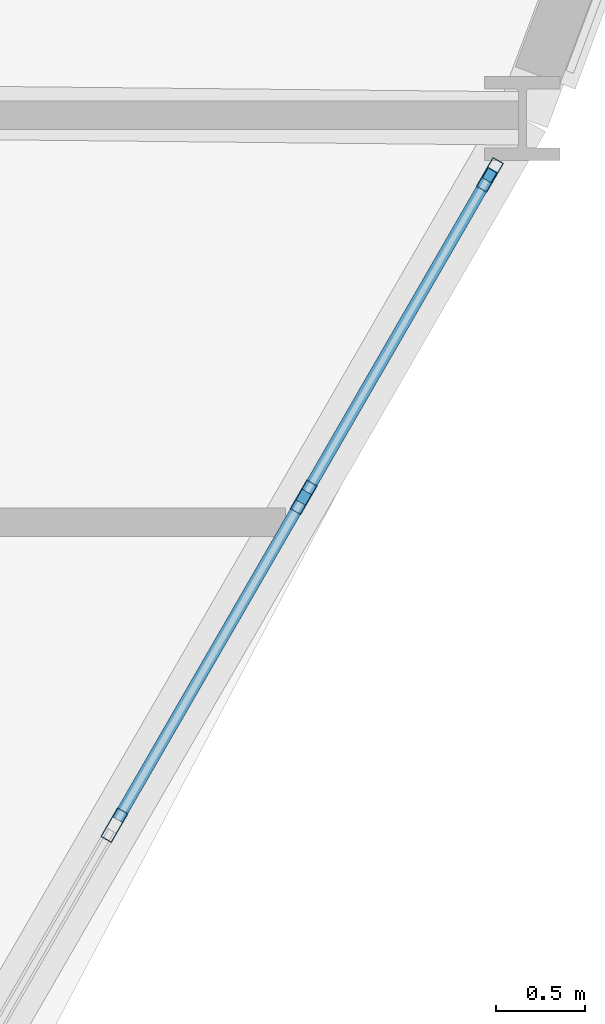
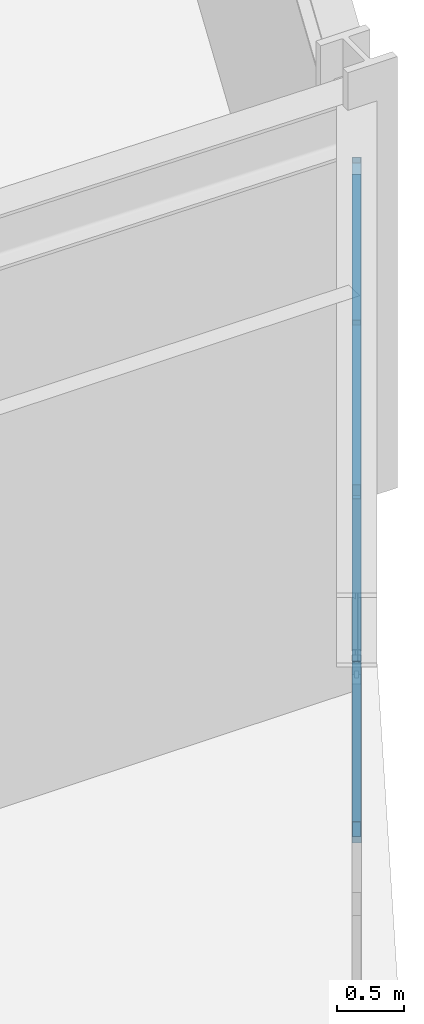
# One storey, part 10 of 22: 8 members, 1 element without a shape of its own.
"""IFC4 building model written with IfcOpenShell, lengths in metres."""

import ifcopenshell
import ifcopenshell.guid

model = None  # the IFC model being written
_history = None  # IfcOwnerHistory: only IFC2X3 demands one
_inside = {}  # id of a spatial element -> (the spatial element, [elements in it])
_under = {}  # id of a project, library or spatial element -> (it, [spatial elements below it])
_declared = {}  # id of a project -> (the project, [libraries it declares])
_typed = {}  # id of a type object -> (the type object, [elements of that type])
_made_of = {}  # id of a material, layer set ... -> (it, [elements and type objects made of it])


def new_model(schema):
    """Start an empty IFC model of exactly this schema.

    Asked for "IFC4X3", IfcOpenShell would pick the latest addendum, in which some entities
    have other attributes; the version numbers below select the first issue.
    IFC2X3 requires an IfcOwnerHistory on every rooted entity: one is made here for all.
    """
    global model, _history
    if schema == "IFC4X3":
        model = ifcopenshell.file(schema_version=(4, 3, 0, 0))
    else:
        model = ifcopenshell.file(schema=schema)
    _inside.clear()
    _under.clear()
    _declared.clear()
    _typed.clear()
    _made_of.clear()
    _history = None
    if model.schema == "IFC2X3":
        org = make("IfcOrganization", Name="unknown")
        user = make(
            "IfcPersonAndOrganization",
            ThePerson=make("IfcPerson", FamilyName="unknown"),
            TheOrganization=org,
        )
        app = make(
            "IfcApplication",
            ApplicationDeveloper=org,
            Version="unknown",
            ApplicationFullName="unknown",
            ApplicationIdentifier="unknown",
        )
        _history = make(
            "IfcOwnerHistory",
            OwningUser=user,
            OwningApplication=app,
            ChangeAction="ADDED",
            CreationDate=0,
        )
    return model


def make(cls, **values):
    """One entity of the class cls with the attributes given. An attribute that is None is left unset."""
    return model.create_entity(
        cls, **{name: value for name, value in values.items() if value is not None}
    )


def rooted(cls, **values):
    """An entity with a GlobalId (a new one), such as an element, a storey or a relation."""
    return make(cls, GlobalId=ifcopenshell.guid.new(), OwnerHistory=_history, **values)


def si_unit(unit_type, name, prefix=None):
    """IfcSIUnit, for example si_unit("LENGTHUNIT", "METRE", prefix="MILLI")."""
    return make("IfcSIUnit", UnitType=unit_type, Prefix=prefix, Name=name)


def derived_unit(unit_type, elements):
    """IfcDerivedUnit: a product of units, each with its exponent."""
    return make(
        "IfcDerivedUnit",
        Elements=[
            make("IfcDerivedUnitElement", Unit=unit, Exponent=power)
            for unit, power in elements
        ],
        UnitType=unit_type,
    )


def assignment(units):
    """IfcUnitAssignment: the units of a project."""
    return None if units is None else make("IfcUnitAssignment", Units=units)


def point(xyz):
    """IfcCartesianPoint."""
    return None if xyz is None else make("IfcCartesianPoint", Coordinates=xyz)


def direction(xyz):
    """IfcDirection."""
    return None if xyz is None else make("IfcDirection", DirectionRatios=xyz)


def frame(location, z_axis=None, x_axis=None):
    """IfcAxis2Placement3D, a coordinate frame: its origin and axes. An axis left out is left unset."""
    return make(
        "IfcAxis2Placement3D",
        Location=point(location),
        Axis=direction(z_axis),
        RefDirection=direction(x_axis),
    )


def frame_2d(location, x_axis=None):
    """IfcAxis2Placement2D, a coordinate frame in the plane: its origin and x axis."""
    return make(
        "IfcAxis2Placement2D", Location=point(location), RefDirection=direction(x_axis)
    )


def origin():
    """The frame at (0, 0, 0) with its axes left unset."""
    return frame((0.0, 0.0, 0.0))


def origin_2d():
    """The frame at (0, 0) in the plane with its x axis left unset."""
    return frame_2d((0.0, 0.0))


def place(relative_to, where):
    """IfcLocalPlacement: puts the frame where relative to a parent placement (None: the world)."""
    return make(
        "IfcLocalPlacement", PlacementRelTo=relative_to, RelativePlacement=where
    )


def context(
    kind, dimensions, precision=None, world=None, true_north=None, identifier=None
):
    """IfcGeometricRepresentationContext, for example the 3D "Model" context."""
    return make(
        "IfcGeometricRepresentationContext",
        ContextIdentifier=identifier,
        ContextType=kind,
        CoordinateSpaceDimension=dimensions,
        Precision=precision,
        WorldCoordinateSystem=world,
        TrueNorth=true_north,
    )


def subcontext(parent, identifier, kind, view, scale=None):
    """IfcGeometricRepresentationSubContext, for example "Body" below "Model"."""
    return make(
        "IfcGeometricRepresentationSubContext",
        ContextIdentifier=identifier,
        ContextType=kind,
        ParentContext=parent,
        TargetScale=scale,
        TargetView=view,
    )


def project(units=None, contexts=None):
    """IfcProject with its units and contexts."""
    return rooted(
        "IfcProject",
        Name="project",
        RepresentationContexts=contexts,
        UnitsInContext=assignment(units),
    )


def spatial(cls, under=None, at=None, **own):
    """A site, building, storey or space (cls), placed at a placement, below another one or the project."""
    s = rooted(cls, ObjectPlacement=at, **own)
    if under is not None:
        _under.setdefault(under.id(), (under, []))[1].append(s)
    return s


def profile(cls, at=None, kind="AREA", **sizes):
    """A parametric profile (cls). Its sizes go by their IFC names, for example OverallWidth=200.0."""
    return make(cls, ProfileType=kind, Position=at, **sizes)


def hollow_rectangle(**sizes):
    """IfcRectangleHollowProfileDef."""
    return profile("IfcRectangleHollowProfileDef", **sizes)


def extrude(swept, where, along, depth):
    """IfcExtrudedAreaSolid: the profile swept, set in the frame where, extruded along a direction by depth."""
    return make(
        "IfcExtrudedAreaSolid",
        SweptArea=swept,
        Position=where,
        ExtrudedDirection=direction(along),
        Depth=depth,
    )


def shape(context_of_items, identifier, shape_type, items):
    """IfcShapeRepresentation: the items that make up one representation, for example the "Body"."""
    return make(
        "IfcShapeRepresentation",
        ContextOfItems=context_of_items,
        RepresentationIdentifier=identifier,
        RepresentationType=shape_type,
        Items=items,
    )


def source(mapping_origin, context_of_items, identifier, shape_type, items):
    """IfcRepresentationMap: a shape defined once, which mapped items show again and again."""
    return make(
        "IfcRepresentationMap",
        MappingOrigin=mapping_origin,
        MappedRepresentation=shape(context_of_items, identifier, shape_type, items),
    )


def transform(
    local_origin,
    x_axis=None,
    y_axis=None,
    z_axis=None,
    scale=None,
    scale2=None,
    scale3=None,
    uniform=True,
):
    """IfcCartesianTransformationOperator3D, or its non-uniform kind. x_axis, y_axis, z_axis: its Axis1, 2, 3."""
    if uniform:
        return make(
            "IfcCartesianTransformationOperator3D",
            Axis1=direction(x_axis),
            Axis2=direction(y_axis),
            LocalOrigin=point(local_origin),
            Scale=scale,
            Axis3=direction(z_axis),
        )
    return make(
        "IfcCartesianTransformationOperator3DnonUniform",
        Axis1=direction(x_axis),
        Axis2=direction(y_axis),
        LocalOrigin=point(local_origin),
        Scale=scale,
        Axis3=direction(z_axis),
        Scale2=scale2,
        Scale3=scale3,
    )


def mapped(mapping_source, mapping_target):
    """IfcMappedItem: shows the shape of a source again, moved by a transform."""
    return make(
        "IfcMappedItem", MappingSource=mapping_source, MappingTarget=mapping_target
    )


def material(Name=None, Category=None):
    """IfcMaterial."""
    return make("IfcMaterial", Name=Name, Category=Category)


def layer(
    of_material, thickness, ventilated=None, Name=None, Category=None, Priority=None
):
    """IfcMaterialLayer: one layer of a wall or slab, of a material (None: an air gap)."""
    return make(
        "IfcMaterialLayer",
        Material=of_material,
        LayerThickness=thickness,
        IsVentilated=ventilated,
        Name=Name,
        Category=Category,
        Priority=Priority,
    )


def layer_set(layers, Name=None):
    """IfcMaterialLayerSet."""
    return make("IfcMaterialLayerSet", MaterialLayers=layers, LayerSetName=Name)


def material_profile(
    of_material, cross_section, Name=None, Category=None, Priority=None
):
    """IfcMaterialProfile: a cross section and its material."""
    return make(
        "IfcMaterialProfile",
        Name=Name,
        Material=of_material,
        Profile=cross_section,
        Priority=Priority,
        Category=Category,
    )


def profile_set(profiles, Name=None, composite=None):
    """IfcMaterialProfileSet."""
    return make(
        "IfcMaterialProfileSet",
        Name=Name,
        MaterialProfiles=profiles,
        CompositeProfile=composite,
    )


def made_of(thing, what):
    """Note that an element or type object is made of a material, layer set ...; save() writes the relation."""
    if what is not None:
        _made_of.setdefault(what.id(), (what, []))[1].append(thing)
    return thing


def type_object(cls, material=None, **own):
    """A type object (cls), such as IfcWallType, which elements share."""
    return made_of(rooted(cls, **own), material)


def element(
    cls,
    number,
    at=None,
    inside=None,
    cuts=None,
    type_object=None,
    material=None,
    context=None,
    identifier="Body",
    shape_type=None,
    held_by="IfcProductDefinitionShape",
    body=None,
    shapes=None,
    **own,
):
    """One element of the class cls, such as IfcWall. Its Tag is "e" and its number.

    at: its placement. inside: the storey or other place that contains it. cuts: it is an
    opening in that element (IfcRelVoidsElement). A single representation is given by context,
    identifier, shape_type and body (its items); several are given by shapes. held_by: the class
    of the entity that holds the representations. save() writes the other relations.
    """
    e = rooted(cls, Tag="e%d" % number, ObjectPlacement=at, **own)
    if body is not None:
        shapes = [shape(context, identifier, shape_type, body)]
    if shapes is not None:
        e.Representation = make(held_by, Representations=shapes)
    if inside is not None:
        _inside.setdefault(inside.id(), (inside, []))[1].append(e)
    if cuts is not None:
        rooted(
            "IfcRelVoidsElement", RelatingBuildingElement=cuts, RelatedOpeningElement=e
        )
    if type_object is not None:
        _typed.setdefault(type_object.id(), (type_object, []))[1].append(e)
    return made_of(e, material)


def aggregate(whole, parts):
    """IfcRelAggregates: a whole, such as a stair, and the parts it consists of."""
    return rooted("IfcRelAggregates", RelatingObject=whole, RelatedObjects=parts)


def save(model, path):
    """Write the relations noted so far, then the file.

    IfcRelAggregates (storeys below a building ...), IfcRelContainedInSpatialStructure (elements
    in a storey), IfcRelDefinesByType, IfcRelAssociatesMaterial and IfcRelDeclares: one each for
    every whole, place, type object, material and project.
    """
    for whole, parts in _under.values():
        aggregate(whole, parts)
    for where, things in _inside.values():
        rooted(
            "IfcRelContainedInSpatialStructure",
            RelatedElements=things,
            RelatingStructure=where,
        )
    for kind, things in _typed.values():
        rooted("IfcRelDefinesByType", RelatedObjects=things, RelatingType=kind)
    for what, things in _made_of.values():
        rooted("IfcRelAssociatesMaterial", RelatedObjects=things, RelatingMaterial=what)
    for by, libraries in _declared.values():
        rooted("IfcRelDeclares", RelatingContext=by, RelatedDefinitions=libraries)
    model.write(path)


model = new_model("IFC4")

# Units and contexts
model_context = context("Model", 3, precision=1e-05, world=origin(), true_north=direction((0.0, 1.0)))
body_context = subcontext(model_context, "Body", "Model", "MODEL_VIEW")
ifc_project = project(units=[si_unit("LENGTHUNIT", "METRE"), si_unit("AREAUNIT", "SQUARE_METRE"), si_unit("VOLUMEUNIT", "CUBIC_METRE"), si_unit("PLANEANGLEUNIT", "RADIAN"), si_unit("MASSUNIT", "GRAM", prefix="KILO"), derived_unit("THERMALTRANSMITTANCEUNIT", [(si_unit("POWERUNIT", "WATT"), 1), (si_unit("LENGTHUNIT", "METRE"), -2), (si_unit("THERMODYNAMICTEMPERATUREUNIT", "KELVIN"), -1)])], contexts=[model_context])

# Site, building, storey
site_placement = place(None, origin())
site = spatial("IfcSite", under=ifc_project, at=site_placement, CompositionType="ELEMENT")
building_placement = place(site_placement, origin())
building = spatial("IfcBuilding", under=site, at=building_placement, Name="Korsvarv Bourse and Concert Hall", CompositionType="ELEMENT")
storey_placement = place(building_placement, frame((0.0, 0.0, 55.199951171875)))
storey = spatial("IfcBuildingStorey", under=building, at=storey_placement, Name="L13", CompositionType="ELEMENT", Elevation=55.199951171875)

# Curtain wall, members
ifc_material_1 = material(Name="Anodised aluminium and triple low-E glazing", Category="glass")
ifc_layer = layer(ifc_material_1, 0.219970703125)
ifc_layer_set = layer_set([ifc_layer], Name="Anodised aluminium and triple low-E glazing")
curtain_wall_type = type_object("IfcCurtainWallType", Name="CW-SYS-1", PredefinedType="NOTDEFINED", material=ifc_layer_set)
curtain_wall_placement = place(storey_placement, origin())
curtain_wall = element("IfcCurtainWall", 1, at=curtain_wall_placement, inside=storey, type_object=curtain_wall_type, Name="L13 CW1 curtain wall CW-L13-F11", PredefinedType="NOTDEFINED")
ifc_material_2 = material(Name="Extruded aluminium EN AW-6063 T66", Category="aluminium")
ifc_material_profile_1 = material_profile(ifc_material_2, hollow_rectangle(XDim=0.06494140625, YDim=0.139892578125, WallThickness=0.00390625, at=origin_2d()), Name="ALU-T 65x140")
ifc_profile_set_1 = profile_set([ifc_material_profile_1], Name="Extruded aluminium EN AW-6063 T66")
member_type_1 = type_object("IfcMemberType", Name="CWT-140", PredefinedType="USERDEFINED", material=ifc_profile_set_1)
shared_shape_1 = source(origin(), body_context, "Body", "SweptSolid", [
    extrude(hollow_rectangle(XDim=0.06494140625, YDim=0.139892578125, WallThickness=0.00390625, at=origin_2d()), origin(), (0.0, 0.0, 1.0), 2.024658203125),
])
member_1_placement = place(storey_placement, frame((56.770263671875, 30.196044921875, 0.032470703125), z_axis=(0.499952099219, 0.866053057547, 0.0), x_axis=(-0.866053057547, 0.499952099219, 0.0)))
member_1 = element("IfcMember", 2, at=member_1_placement, type_object=member_type_1, Name="CW1 transom 7.1", ObjectType="TRANSOM", PredefinedType="USERDEFINED", context=body_context, shape_type="MappedRepresentation", body=[
    mapped(shared_shape_1, transform((0.0, 0.0, 0.0), scale=1.0)),
])
member_2_placement = place(storey_placement, frame((56.770263671875, 30.196044921875, 3.07763671875), z_axis=(0.499952099219, 0.866053057547, 0.0), x_axis=(-0.866053057547, 0.499952099219, 0.0)))
member_2 = element("IfcMember", 3, at=member_2_placement, type_object=member_type_1, Name="CW1 transom 7.2", ObjectType="TRANSOM", PredefinedType="USERDEFINED", context=body_context, shape_type="MappedRepresentation", body=[
    mapped(shared_shape_1, transform((0.0, 0.0, 0.0), scale=1.0)),
])
shared_shape_2 = source(origin(), body_context, "Body", "SweptSolid", [
    extrude(hollow_rectangle(XDim=0.06494140625, YDim=0.139892578125, WallThickness=0.00390625, at=origin_2d()), origin(), (0.0, 0.0, 1.0), 2.0595703125),
])
member_3_placement = place(storey_placement, frame((55.70556640625, 28.351806640625, 0.032470703125), z_axis=(0.499989236795, 0.866031617834, 0.0), x_axis=(-0.866031617834, 0.499989236795, 0.0)))
member_3 = element("IfcMember", 4, at=member_3_placement, type_object=member_type_1, Name="CW1 transom 6.1", ObjectType="TRANSOM", PredefinedType="USERDEFINED", context=body_context, shape_type="MappedRepresentation", body=[
    mapped(shared_shape_2, transform((0.0, 0.0, 0.0), scale=1.0)),
])
member_4_placement = place(storey_placement, frame((55.70556640625, 28.351806640625, 3.07763671875), z_axis=(0.499989236795, 0.866031617834, 0.0), x_axis=(-0.866031617834, 0.499989236795, 0.0)))
member_4 = element("IfcMember", 5, at=member_4_placement, type_object=member_type_1, Name="CW1 transom 6.2", ObjectType="TRANSOM", PredefinedType="USERDEFINED", context=body_context, shape_type="MappedRepresentation", body=[
    mapped(shared_shape_2, transform((0.0, 0.0, 0.0), scale=1.0)),
])
ifc_material_profile_2 = material_profile(ifc_material_2, hollow_rectangle(XDim=0.070068359375, YDim=0.18994140625, WallThickness=0.0048828125, at=origin_2d()), Name="ALU-M 70x190")
ifc_profile_set_2 = profile_set([ifc_material_profile_2], Name="Extruded aluminium EN AW-6063 T66")
member_type_2 = type_object("IfcMemberType", Name="CWM-190", PredefinedType="MULLION", material=ifc_profile_set_2)
shared_shape_3 = source(origin(), body_context, "Body", "SweptSolid", [
    extrude(hollow_rectangle(XDim=0.070068359375, YDim=0.18994140625, WallThickness=0.0048828125, at=origin_2d()), origin(), (0.0, 0.0, 1.0), 3.110107421875),
])
member_5_placement = place(storey_placement, frame((55.68798828125, 28.321533203125, 0.0), z_axis=(0.0, 0.0, 1.0), x_axis=(-0.866025499647, 0.499999833962, 0.0)))
member_5 = element("IfcMember", 6, at=member_5_placement, type_object=member_type_2, Name="CW1 mullion 6", PredefinedType="MULLION", context=body_context, shape_type="MappedRepresentation", body=[
    mapped(shared_shape_3, transform((0.0, 0.0, 0.0), scale=1.0)),
])
member_6_placement = place(storey_placement, frame((56.752685546875, 30.165771484375, 0.0), z_axis=(0.0, 0.0, 1.0), x_axis=(-0.866025499647, 0.499999833962, 0.0)))
member_6 = element("IfcMember", 7, at=member_6_placement, type_object=member_type_2, Name="CW1 mullion 7", PredefinedType="MULLION", context=body_context, shape_type="MappedRepresentation", body=[
    mapped(shared_shape_3, transform((0.0, 0.0, 0.0), scale=1.0)),
])
member_7_placement = place(storey_placement, frame((57.800048828125, 31.979736328125, 0.0), z_axis=(0.0, 0.0, 1.0), x_axis=(-0.866025499647, 0.499999833962, 0.0)))
member_7 = element("IfcMember", 8, at=member_7_placement, type_object=member_type_2, Name="CW1 mullion 8", PredefinedType="MULLION", context=body_context, shape_type="MappedRepresentation", body=[
    mapped(shared_shape_3, transform((0.0, 0.0, 0.0), scale=1.0)),
])
ifc_material_profile_3 = material_profile(ifc_material_2, hollow_rectangle(XDim=0.06494140625, YDim=0.1650390625, WallThickness=0.0048828125, at=origin_2d()), Name="ALU-M 65x165")
ifc_profile_set_3 = profile_set([ifc_material_profile_3], Name="Extruded aluminium EN AW-6063 T66")
member_type_3 = type_object("IfcMemberType", Name="CWM-165", PredefinedType="MULLION", material=ifc_profile_set_3)
shared_shape_4 = source(origin(), body_context, "Body", "SweptSolid", [
    extrude(hollow_rectangle(XDim=0.06494140625, YDim=0.1650390625, WallThickness=0.0048828125, at=origin_2d()), origin(), (0.0, 0.0, 1.0), 3.602783203125),
])
member_8_placement = place(storey_placement, frame((56.770263671875, 30.196044921875, 0.06494140625), z_axis=(0.280943517597, 0.486670608631, 0.82717740456), x_axis=(-0.866053057547, 0.499952099219, 0.0)))
member_8 = element("IfcMember", 9, at=member_8_placement, type_object=member_type_3, Name="CW1 diagonal mullion 7", PredefinedType="MULLION", context=body_context, shape_type="MappedRepresentation", body=[
    mapped(shared_shape_4, transform((0.0, 0.0, 0.0), scale=1.0)),
])
aggregate(curtain_wall, [member_5, member_6, member_7, member_3, member_4, member_1, member_2, member_8])

save(model, "model.ifc")
